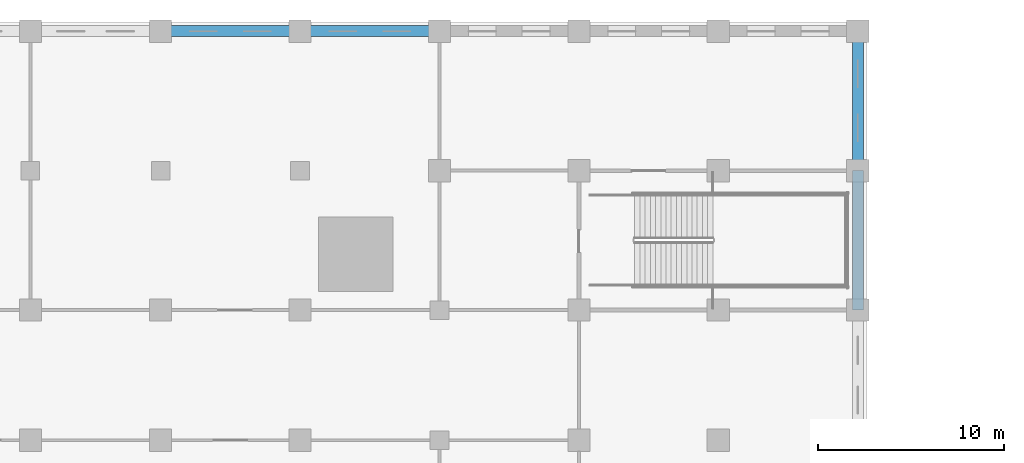
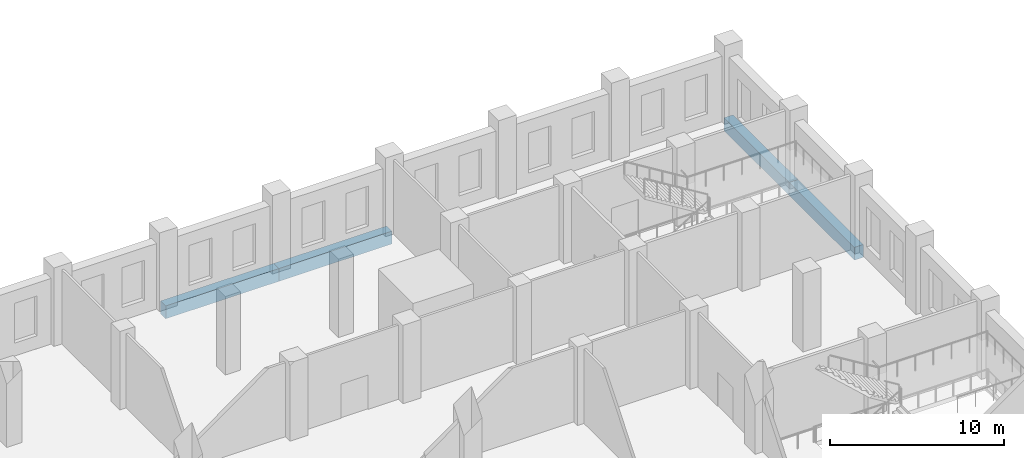
# One storey, part 2 of 35: 4 beams.
"""IFC4 building model written with IfcOpenShell, lengths in metres."""

import ifcopenshell
import ifcopenshell.guid

model = None  # the IFC model being written
_history = None  # IfcOwnerHistory: only IFC2X3 demands one
_inside = {}  # id of a spatial element -> (the spatial element, [elements in it])
_under = {}  # id of a project, library or spatial element -> (it, [spatial elements below it])
_declared = {}  # id of a project -> (the project, [libraries it declares])
_typed = {}  # id of a type object -> (the type object, [elements of that type])
_made_of = {}  # id of a material, layer set ... -> (it, [elements and type objects made of it])


def new_model(schema):
    """Start an empty IFC model of exactly this schema.

    Asked for "IFC4X3", IfcOpenShell would pick the latest addendum, in which some entities
    have other attributes; the version numbers below select the first issue.
    IFC2X3 requires an IfcOwnerHistory on every rooted entity: one is made here for all.
    """
    global model, _history
    if schema == "IFC4X3":
        model = ifcopenshell.file(schema_version=(4, 3, 0, 0))
    else:
        model = ifcopenshell.file(schema=schema)
    _inside.clear()
    _under.clear()
    _declared.clear()
    _typed.clear()
    _made_of.clear()
    _history = None
    if model.schema == "IFC2X3":
        org = make("IfcOrganization", Name="unknown")
        user = make(
            "IfcPersonAndOrganization",
            ThePerson=make("IfcPerson", FamilyName="unknown"),
            TheOrganization=org,
        )
        app = make(
            "IfcApplication",
            ApplicationDeveloper=org,
            Version="unknown",
            ApplicationFullName="unknown",
            ApplicationIdentifier="unknown",
        )
        _history = make(
            "IfcOwnerHistory",
            OwningUser=user,
            OwningApplication=app,
            ChangeAction="ADDED",
            CreationDate=0,
        )
    return model


def make(cls, **values):
    """One entity of the class cls with the attributes given. An attribute that is None is left unset."""
    return model.create_entity(
        cls, **{name: value for name, value in values.items() if value is not None}
    )


def rooted(cls, **values):
    """An entity with a GlobalId (a new one), such as an element, a storey or a relation."""
    return make(cls, GlobalId=ifcopenshell.guid.new(), OwnerHistory=_history, **values)


def si_unit(unit_type, name, prefix=None):
    """IfcSIUnit, for example si_unit("LENGTHUNIT", "METRE", prefix="MILLI")."""
    return make("IfcSIUnit", UnitType=unit_type, Prefix=prefix, Name=name)


def assignment(units):
    """IfcUnitAssignment: the units of a project."""
    return None if units is None else make("IfcUnitAssignment", Units=units)


def point(xyz):
    """IfcCartesianPoint."""
    return None if xyz is None else make("IfcCartesianPoint", Coordinates=xyz)


def direction(xyz):
    """IfcDirection."""
    return None if xyz is None else make("IfcDirection", DirectionRatios=xyz)


def frame(location, z_axis=None, x_axis=None):
    """IfcAxis2Placement3D, a coordinate frame: its origin and axes. An axis left out is left unset."""
    return make(
        "IfcAxis2Placement3D",
        Location=point(location),
        Axis=direction(z_axis),
        RefDirection=direction(x_axis),
    )


def frame_2d(location, x_axis=None):
    """IfcAxis2Placement2D, a coordinate frame in the plane: its origin and x axis."""
    return make(
        "IfcAxis2Placement2D", Location=point(location), RefDirection=direction(x_axis)
    )


def origin():
    """The frame at (0, 0, 0) with its axes left unset."""
    return frame((0.0, 0.0, 0.0))


def origin_2d():
    """The frame at (0, 0) in the plane with its x axis left unset."""
    return frame_2d((0.0, 0.0))


def place(relative_to, where):
    """IfcLocalPlacement: puts the frame where relative to a parent placement (None: the world)."""
    return make(
        "IfcLocalPlacement", PlacementRelTo=relative_to, RelativePlacement=where
    )


def context(
    kind, dimensions, precision=None, world=None, true_north=None, identifier=None
):
    """IfcGeometricRepresentationContext, for example the 3D "Model" context."""
    return make(
        "IfcGeometricRepresentationContext",
        ContextIdentifier=identifier,
        ContextType=kind,
        CoordinateSpaceDimension=dimensions,
        Precision=precision,
        WorldCoordinateSystem=world,
        TrueNorth=true_north,
    )


def subcontext(parent, identifier, kind, view, scale=None):
    """IfcGeometricRepresentationSubContext, for example "Body" below "Model"."""
    return make(
        "IfcGeometricRepresentationSubContext",
        ContextIdentifier=identifier,
        ContextType=kind,
        ParentContext=parent,
        TargetScale=scale,
        TargetView=view,
    )


def project(units=None, contexts=None):
    """IfcProject with its units and contexts."""
    return rooted(
        "IfcProject",
        Name="project",
        RepresentationContexts=contexts,
        UnitsInContext=assignment(units),
    )


def spatial(cls, under=None, at=None, **own):
    """A site, building, storey or space (cls), placed at a placement, below another one or the project."""
    s = rooted(cls, ObjectPlacement=at, **own)
    if under is not None:
        _under.setdefault(under.id(), (under, []))[1].append(s)
    return s


def profile(cls, at=None, kind="AREA", **sizes):
    """A parametric profile (cls). Its sizes go by their IFC names, for example OverallWidth=200.0."""
    return make(cls, ProfileType=kind, Position=at, **sizes)


def rectangle(**sizes):
    """IfcRectangleProfileDef."""
    return profile("IfcRectangleProfileDef", **sizes)


def extrude(swept, where, along, depth):
    """IfcExtrudedAreaSolid: the profile swept, set in the frame where, extruded along a direction by depth."""
    return make(
        "IfcExtrudedAreaSolid",
        SweptArea=swept,
        Position=where,
        ExtrudedDirection=direction(along),
        Depth=depth,
    )


def shape(context_of_items, identifier, shape_type, items):
    """IfcShapeRepresentation: the items that make up one representation, for example the "Body"."""
    return make(
        "IfcShapeRepresentation",
        ContextOfItems=context_of_items,
        RepresentationIdentifier=identifier,
        RepresentationType=shape_type,
        Items=items,
    )


def material(Name=None, Category=None):
    """IfcMaterial."""
    return make("IfcMaterial", Name=Name, Category=Category)


def material_profile(
    of_material, cross_section, Name=None, Category=None, Priority=None
):
    """IfcMaterialProfile: a cross section and its material."""
    return make(
        "IfcMaterialProfile",
        Name=Name,
        Material=of_material,
        Profile=cross_section,
        Priority=Priority,
        Category=Category,
    )


def profile_set(profiles, Name=None, composite=None):
    """IfcMaterialProfileSet."""
    return make(
        "IfcMaterialProfileSet",
        Name=Name,
        MaterialProfiles=profiles,
        CompositeProfile=composite,
    )


def made_of(thing, what):
    """Note that an element or type object is made of a material, layer set ...; save() writes the relation."""
    if what is not None:
        _made_of.setdefault(what.id(), (what, []))[1].append(thing)
    return thing


def type_object(cls, material=None, **own):
    """A type object (cls), such as IfcWallType, which elements share."""
    return made_of(rooted(cls, **own), material)


def element(
    cls,
    number,
    at=None,
    inside=None,
    cuts=None,
    type_object=None,
    material=None,
    context=None,
    identifier="Body",
    shape_type=None,
    held_by="IfcProductDefinitionShape",
    body=None,
    shapes=None,
    **own,
):
    """One element of the class cls, such as IfcWall. Its Tag is "e" and its number.

    at: its placement. inside: the storey or other place that contains it. cuts: it is an
    opening in that element (IfcRelVoidsElement). A single representation is given by context,
    identifier, shape_type and body (its items); several are given by shapes. held_by: the class
    of the entity that holds the representations. save() writes the other relations.
    """
    e = rooted(cls, Tag="e%d" % number, ObjectPlacement=at, **own)
    if body is not None:
        shapes = [shape(context, identifier, shape_type, body)]
    if shapes is not None:
        e.Representation = make(held_by, Representations=shapes)
    if inside is not None:
        _inside.setdefault(inside.id(), (inside, []))[1].append(e)
    if cuts is not None:
        rooted(
            "IfcRelVoidsElement", RelatingBuildingElement=cuts, RelatedOpeningElement=e
        )
    if type_object is not None:
        _typed.setdefault(type_object.id(), (type_object, []))[1].append(e)
    return made_of(e, material)


def aggregate(whole, parts):
    """IfcRelAggregates: a whole, such as a stair, and the parts it consists of."""
    return rooted("IfcRelAggregates", RelatingObject=whole, RelatedObjects=parts)


def save(model, path):
    """Write the relations noted so far, then the file.

    IfcRelAggregates (storeys below a building ...), IfcRelContainedInSpatialStructure (elements
    in a storey), IfcRelDefinesByType, IfcRelAssociatesMaterial and IfcRelDeclares: one each for
    every whole, place, type object, material and project.
    """
    for whole, parts in _under.values():
        aggregate(whole, parts)
    for where, things in _inside.values():
        rooted(
            "IfcRelContainedInSpatialStructure",
            RelatedElements=things,
            RelatingStructure=where,
        )
    for kind, things in _typed.values():
        rooted("IfcRelDefinesByType", RelatedObjects=things, RelatingType=kind)
    for what, things in _made_of.values():
        rooted("IfcRelAssociatesMaterial", RelatedObjects=things, RelatingMaterial=what)
    for by, libraries in _declared.values():
        rooted("IfcRelDeclares", RelatingContext=by, RelatedDefinitions=libraries)
    model.write(path)


model = new_model("IFC4")

# Units and contexts
model_context = context("Model", 3, precision=1e-05, world=origin(), true_north=direction((0.0, 1.0)))
body_context = subcontext(model_context, "Body", "Model", "MODEL_VIEW")
ifc_project = project(units=[si_unit("LENGTHUNIT", "METRE"), si_unit("AREAUNIT", "SQUARE_METRE"), si_unit("VOLUMEUNIT", "CUBIC_METRE"), si_unit("PLANEANGLEUNIT", "RADIAN"), si_unit("MASSUNIT", "GRAM", prefix="KILO")], contexts=[model_context])

# Site, building, storey
site_placement = place(None, origin())
site = spatial("IfcSite", under=ifc_project, at=site_placement, CompositionType="ELEMENT")
building_placement = place(site_placement, origin())
building = spatial("IfcBuilding", under=site, at=building_placement, Name="Tamorin Gate", CompositionType="ELEMENT")
storey_placement = place(building_placement, frame((0.0, 0.0, 8.0)))
storey = spatial("IfcBuildingStorey", under=building, at=storey_placement, Name="L01", CompositionType="ELEMENT", Elevation=8.0)

# Beams
ifc_material = material(Name="Concrete C50/60", Category="concrete")
ifc_material_profile = material_profile(ifc_material, rectangle(XDim=0.60009765625, YDim=0.89990234375, at=origin_2d()), Name="RC 600x900")
ifc_profile_set = profile_set([ifc_material_profile], Name="Concrete C50/60")
beam_type = type_object("IfcBeamType", Name="RC spandrel 600x900 C50/60", PredefinedType="BEAM", material=ifc_profile_set)
for number, where, z_axis, x_axis, name in (
    (1, (112.0, 97.0, -0.449951171875), (0.0, 1.0, 0.0), (-1.0, 0.0, 0.0), "Spandrel beam L01"),
    (2, (112.0, 104.5, -0.449951171875), (0.0, 1.0, 0.0), (-1.0, 0.0, 0.0), "Spandrel beam L01"),
    (3, (89.5, 112.0, -0.449951171875), (-1.0, 0.0, 0.0), (0.0, -1.0, 0.0), "Spandrel beam L01"),
    (4, (82.0, 112.0, -0.449951171875), (-1.0, 0.0, 0.0), (0.0, -1.0, 0.0), "Spandrel beam L01"),
):
    element("IfcBeam", number, at=place(storey_placement, frame(where, z_axis=z_axis, x_axis=x_axis)), inside=storey, type_object=beam_type, Name=name, PredefinedType="BEAM", context=body_context, shape_type="SweptSolid", body=[
        extrude(rectangle(XDim=0.60009765625, YDim=0.89990234375, at=origin_2d()), origin(), (0.0, 0.0, 1.0), 7.5),
    ])

save(model, "model.ifc")
